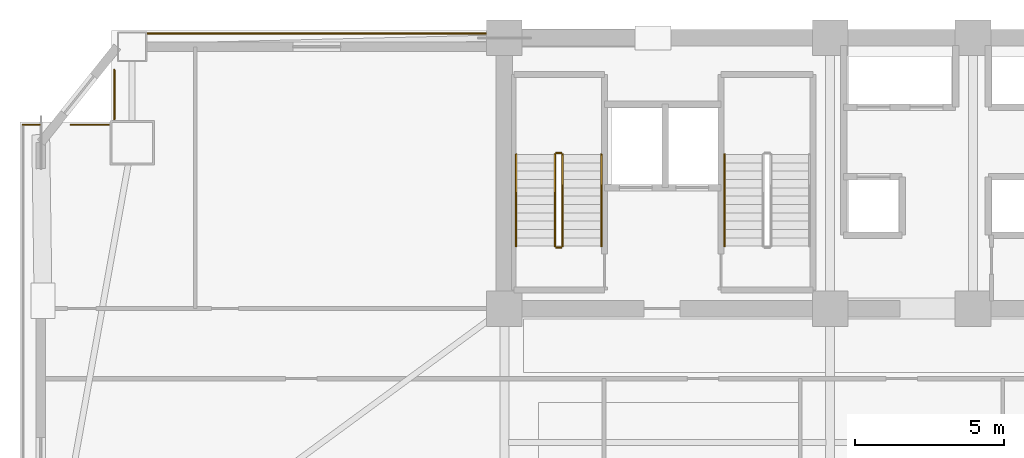
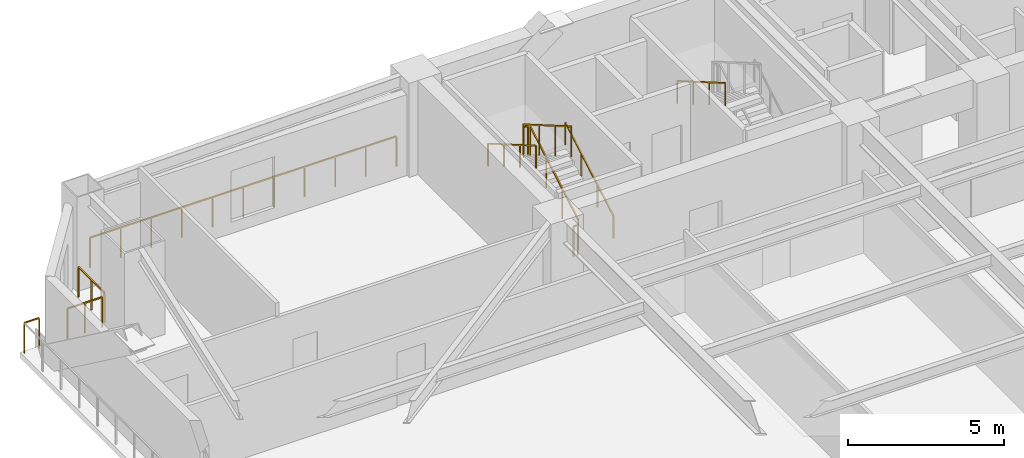
# One storey, part 14 of 16: 11 railings.
"""IFC4 building model written with IfcOpenShell, lengths in metres."""

from ifc_helpers import new_model, si_unit, direction, frame, origin, origin_2d, place, context, subcontext, project, spatial, rectangle, extrude, material, type_object, element, save


model = new_model("IFC4")

# Units and contexts
model_context = context("Model", 3, precision=1e-05, world=origin(), true_north=direction((0.0, 1.0)))
body_context = subcontext(model_context, "Body", "Model", "MODEL_VIEW")
ifc_project = project(units=[si_unit("LENGTHUNIT", "METRE"), si_unit("AREAUNIT", "SQUARE_METRE"), si_unit("VOLUMEUNIT", "CUBIC_METRE"), si_unit("PLANEANGLEUNIT", "RADIAN"), si_unit("MASSUNIT", "GRAM", prefix="KILO")], contexts=[model_context])

# Site, building, storey
site_placement = place(None, origin())
site = spatial("IfcSite", under=ifc_project, at=site_placement, CompositionType="ELEMENT")
building_placement = place(site_placement, origin())
building = spatial("IfcBuilding", under=site, at=building_placement, Name="Giltprow Tower", CompositionType="ELEMENT")
storey_placement = place(building_placement, frame((0.0, 0.0, 87.39990234375)))
storey = spatial("IfcBuildingStorey", under=building, at=storey_placement, Name="L21", CompositionType="ELEMENT", Elevation=87.39990234375)

# Railings
ifc_material = material(Name="Anodized bronze", Category="metal")
railing_type_1 = type_object("IfcRailingType", Name="RAIL-BALC-GUARD-1200", PredefinedType="BALUSTRADE", material=ifc_material)
railing_1_placement = place(storey_placement, frame((3.675048828125, 43.6298828125, 0.0)))
element("IfcRailing", 1, at=railing_1_placement, inside=storey, type_object=railing_type_1, Name="L21 Corner Apron Edge Balustrade 6", PredefinedType="BALUSTRADE", context=body_context, shape_type="SweptSolid", body=[
    extrude(rectangle(XDim=0.048095703125, YDim=0.048095703125, at=origin_2d()), frame((0.0, 0.0, 1.17578125), z_axis=(1.0, 0.0, 0.0), x_axis=(0.0, 1.0, 0.0)), (0.0, 0.0, 1.0), 0.553955078125),
    extrude(rectangle(XDim=0.0419921875, YDim=0.0419921875, at=origin_2d()), origin(), (0.0, 0.0, 1.0), 1.15185546875),
    extrude(rectangle(XDim=0.0419921875, YDim=0.0419921875, at=origin_2d()), frame((0.553955078125, 0.0, 0.0)), (0.0, 0.0, 1.0), 1.15185546875),
])
railing_2_placement = place(storey_placement, frame((5.278076171875, 43.6298828125, 0.0)))
element("IfcRailing", 2, at=railing_2_placement, inside=storey, type_object=railing_type_1, Name="L21 Corner Apron Edge Balustrade 7", PredefinedType="BALUSTRADE", context=body_context, shape_type="SweptSolid", body=[
    extrude(rectangle(XDim=0.048095703125, YDim=0.048095703125, at=origin_2d()), frame((0.0, 0.0, 1.17578125), z_axis=(1.0, 0.0, 0.0), x_axis=(0.0, 1.0, 0.0)), (0.0, 0.0, 1.0), 1.281982421875),
    extrude(rectangle(XDim=0.0419921875, YDim=0.0419921875, at=origin_2d()), origin(), (0.0, 0.0, 1.0), 1.15185546875),
    extrude(rectangle(XDim=0.0419921875, YDim=0.0419921875, at=origin_2d()), frame((0.64111328125, 0.0, 0.0)), (0.0, 0.0, 1.0), 1.15185546875),
    extrude(rectangle(XDim=0.0419921875, YDim=0.0419921875, at=origin_2d()), frame((1.281982421875, 0.0, 0.0)), (0.0, 0.0, 1.0), 1.15185546875),
])
railing_3_placement = place(storey_placement, frame((6.7451171875, 43.81494140625, 0.0)))
element("IfcRailing", 3, at=railing_3_placement, inside=storey, type_object=railing_type_1, Name="L21 Corner Apron Edge Balustrade 8", PredefinedType="BALUSTRADE", context=body_context, shape_type="SweptSolid", body=[
    extrude(rectangle(XDim=0.048095703125, YDim=0.048095703125, at=origin_2d()), frame((0.0, 0.0, 1.17578125), z_axis=(0.0, 1.0, 0.0), x_axis=(-1.0, 0.0, 0.0)), (0.0, 0.0, 1.0), 1.652099609375),
    extrude(rectangle(XDim=0.0419921875, YDim=0.0419921875, at=origin_2d()), origin(), (0.0, 0.0, 1.0), 1.15185546875),
    extrude(rectangle(XDim=0.0419921875, YDim=0.0419921875, at=origin_2d()), frame((0.0, 0.826171875, 0.0)), (0.0, 0.0, 1.0), 1.15185546875),
    extrude(rectangle(XDim=0.0419921875, YDim=0.0419921875, at=origin_2d()), frame((0.0, 1.652099609375, 0.0)), (0.0, 0.0, 1.0), 1.15185546875),
])
railing_4_placement = place(storey_placement, frame((7.8798828125, 46.699951171875, 0.0)))
element("IfcRailing", 4, at=railing_4_placement, inside=storey, type_object=railing_type_1, Name="L21 Corner Apron Edge Balustrade 9", PredefinedType="BALUSTRADE", context=body_context, shape_type="SweptSolid", body=[
    extrude(rectangle(XDim=0.048095703125, YDim=0.048095703125, at=origin_2d()), frame((0.0, 0.0, 1.17578125), z_axis=(1.0, 0.0, 0.0), x_axis=(0.0, 1.0, 0.0)), (0.0, 0.0, 1.0), 11.335205078125),
    extrude(rectangle(XDim=0.0419921875, YDim=0.0419921875, at=origin_2d()), origin(), (0.0, 0.0, 1.0), 1.15185546875),
    extrude(rectangle(XDim=0.0419921875, YDim=0.0419921875, at=origin_2d()), frame((1.133544921875, 0.0, 0.0)), (0.0, 0.0, 1.0), 1.15185546875),
    extrude(rectangle(XDim=0.0419921875, YDim=0.0419921875, at=origin_2d()), frame((2.26708984375, 0.0, 0.0)), (0.0, 0.0, 1.0), 1.15185546875),
    extrude(rectangle(XDim=0.0419921875, YDim=0.0419921875, at=origin_2d()), frame((3.400634765625, 0.0, 0.0)), (0.0, 0.0, 1.0), 1.15185546875),
    extrude(rectangle(XDim=0.0419921875, YDim=0.0419921875, at=origin_2d()), frame((4.5341796875, 0.0, 0.0)), (0.0, 0.0, 1.0), 1.15185546875),
    extrude(rectangle(XDim=0.0419921875, YDim=0.0419921875, at=origin_2d()), frame((5.66748046875, 0.0, 0.0)), (0.0, 0.0, 1.0), 1.15185546875),
    extrude(rectangle(XDim=0.0419921875, YDim=0.0419921875, at=origin_2d()), frame((6.801025390625, 0.0, 0.0)), (0.0, 0.0, 1.0), 1.15185546875),
    extrude(rectangle(XDim=0.0419921875, YDim=0.0419921875, at=origin_2d()), frame((7.9345703125, 0.0, 0.0)), (0.0, 0.0, 1.0), 1.15185546875),
    extrude(rectangle(XDim=0.0419921875, YDim=0.0419921875, at=origin_2d()), frame((9.068115234375, 0.0, 0.0)), (0.0, 0.0, 1.0), 1.15185546875),
    extrude(rectangle(XDim=0.0419921875, YDim=0.0419921875, at=origin_2d()), frame((10.20166015625, 0.0, 0.0)), (0.0, 0.0, 1.0), 1.15185546875),
    extrude(rectangle(XDim=0.0419921875, YDim=0.0419921875, at=origin_2d()), frame((11.335205078125, 0.0, 0.0)), (0.0, 0.0, 1.0), 1.15185546875),
])
railing_type_2 = type_object("IfcRailingType", Name="RAIL-STAIR-GUARD-1200", PredefinedType="GUARDRAIL", material=ifc_material)
railing_5_placement = place(storey_placement, frame((21.81005859375, 39.550048828125, 0.16259765625)))
element("IfcRailing", 5, at=railing_5_placement, inside=storey, type_object=railing_type_2, Name="L21 ST-1 stair guard 1", PredefinedType="GUARDRAIL", context=body_context, shape_type="SweptSolid", body=[
    extrude(rectangle(XDim=0.048095703125, YDim=0.048095703125, at=origin_2d()), frame((0.0, 0.0, 1.17578125), z_axis=(0.0, 0.864873446163, 0.501989962173), x_axis=(-1.0, 0.0, 0.0)), (0.0, 0.0, 1.0), 3.56103515625),
    extrude(rectangle(XDim=0.0419921875, YDim=0.0419921875, at=origin_2d()), origin(), (0.0, 0.0, 1.0), 1.15185546875),
    extrude(rectangle(XDim=0.0419921875, YDim=0.0419921875, at=origin_2d()), frame((0.0, 1.026611328125, 0.595947265625)), (0.0, 0.0, 1.0), 1.15185546875),
    extrude(rectangle(XDim=0.0419921875, YDim=0.0419921875, at=origin_2d()), frame((0.0, 2.05322265625, 1.191650390625)), (0.0, 0.0, 1.0), 1.15185546875),
    extrude(rectangle(XDim=0.0419921875, YDim=0.0419921875, at=origin_2d()), frame((0.0, 3.079833984375, 1.78759765625)), (0.0, 0.0, 1.0), 1.15185546875),
])
railing_6_placement = place(storey_placement, frame((21.760009765625, 42.679931640625, 1.9501953125)))
element("IfcRailing", 6, at=railing_6_placement, inside=storey, type_object=railing_type_2, Name="L21 ST-1 stair guard 2", PredefinedType="GUARDRAIL", context=body_context, shape_type="SweptSolid", body=[
    extrude(rectangle(XDim=0.048095703125, YDim=0.048095703125, at=origin_2d()), frame((0.0, 0.0, 1.17578125), z_axis=(-1.0, 0.0, 0.0), x_axis=(0.0, -1.0, 0.0)), (0.0, 0.0, 1.0), 0.159912109375),
    extrude(rectangle(XDim=0.0419921875, YDim=0.0419921875, at=origin_2d()), origin(), (0.0, 0.0, 1.0), 1.15185546875),
    extrude(rectangle(XDim=0.0419921875, YDim=0.0419921875, at=origin_2d()), frame((-0.159912109375, 0.0, 0.0)), (0.0, 0.0, 1.0), 1.15185546875),
])
railing_7_placement = place(storey_placement, frame((21.550048828125, 42.6298828125, 2.112548828125)))
element("IfcRailing", 7, at=railing_7_placement, inside=storey, type_object=railing_type_2, Name="L21 ST-1 stair guard 3", PredefinedType="GUARDRAIL", context=body_context, shape_type="SweptSolid", body=[
    extrude(rectangle(XDim=0.048095703125, YDim=0.048095703125, at=origin_2d()), frame((0.0, 0.0, 1.17578125), z_axis=(0.0, -0.864873446163, 0.501989962173), x_axis=(1.0, 0.0, 0.0)), (0.0, 0.0, 1.0), 3.56103515625),
    extrude(rectangle(XDim=0.0419921875, YDim=0.0419921875, at=origin_2d()), origin(), (0.0, 0.0, 1.0), 1.15185546875),
    extrude(rectangle(XDim=0.0419921875, YDim=0.0419921875, at=origin_2d()), frame((0.0, -1.026611328125, 0.595947265625)), (0.0, 0.0, 1.0), 1.15185546875),
    extrude(rectangle(XDim=0.0419921875, YDim=0.0419921875, at=origin_2d()), frame((0.0, -2.05322265625, 1.191650390625)), (0.0, 0.0, 1.0), 1.15185546875),
    extrude(rectangle(XDim=0.0419921875, YDim=0.0419921875, at=origin_2d()), frame((0.0, -3.079833984375, 1.78759765625)), (0.0, 0.0, 1.0), 1.15185546875),
])
railing_8_placement = place(storey_placement, frame((21.760009765625, 39.5, 0.0)))
element("IfcRailing", 8, at=railing_8_placement, inside=storey, type_object=railing_type_2, Name="L21 ST-1 stair guard 4", PredefinedType="GUARDRAIL", context=body_context, shape_type="SweptSolid", body=[
    extrude(rectangle(XDim=0.048095703125, YDim=0.048095703125, at=origin_2d()), frame((0.0, 0.0, 1.17578125), z_axis=(-1.0, 0.0, 0.0), x_axis=(0.0, -1.0, 0.0)), (0.0, 0.0, 1.0), 0.159912109375),
    extrude(rectangle(XDim=0.0419921875, YDim=0.0419921875, at=origin_2d()), origin(), (0.0, 0.0, 1.0), 1.15185546875),
    extrude(rectangle(XDim=0.0419921875, YDim=0.0419921875, at=origin_2d()), frame((-0.159912109375, 0.0, 0.0)), (0.0, 0.0, 1.0), 1.15185546875),
])
railing_type_3 = type_object("IfcRailingType", Name="RAIL-STAIR-HAND-900", PredefinedType="HANDRAIL", material=ifc_material)
railing_9_placement = place(storey_placement, frame((23.110107421875, 39.550048828125, 0.16259765625)))
element("IfcRailing", 9, at=railing_9_placement, inside=storey, type_object=railing_type_3, Name="L21 ST-1 stair handrail 1", PredefinedType="HANDRAIL", context=body_context, shape_type="SweptSolid", body=[
    extrude(rectangle(XDim=0.048095703125, YDim=0.048095703125, at=origin_2d()), frame((0.0, 0.0, 0.8759765625), z_axis=(0.0, 0.864873446163, 0.501989962173), x_axis=(-1.0, 0.0, 0.0)), (0.0, 0.0, 1.0), 3.56103515625),
    extrude(rectangle(XDim=0.0419921875, YDim=0.0419921875, at=origin_2d()), origin(), (0.0, 0.0, 1.0), 0.851806640625),
    extrude(rectangle(XDim=0.0419921875, YDim=0.0419921875, at=origin_2d()), frame((0.0, 1.026611328125, 0.595947265625)), (0.0, 0.0, 1.0), 0.851806640625),
    extrude(rectangle(XDim=0.0419921875, YDim=0.0419921875, at=origin_2d()), frame((0.0, 2.05322265625, 1.191650390625)), (0.0, 0.0, 1.0), 0.851806640625),
    extrude(rectangle(XDim=0.0419921875, YDim=0.0419921875, at=origin_2d()), frame((0.0, 3.079833984375, 1.78759765625)), (0.0, 0.0, 1.0), 0.851806640625),
])
for number, where, name in (
    (10, (20.25, 42.6298828125, 2.112548828125), "L21 ST-1 stair handrail 2"),
    (11, (27.25, 42.6298828125, 2.112548828125), "L21 ST-2 stair handrail 2"),
):
    element("IfcRailing", number, at=place(storey_placement, frame(where)), inside=storey, type_object=railing_type_3, Name=name, PredefinedType="HANDRAIL", context=body_context, shape_type="SweptSolid", body=[
        extrude(rectangle(XDim=0.048095703125, YDim=0.048095703125, at=origin_2d()), frame((0.0, 0.0, 0.8759765625), z_axis=(0.0, -0.864873446163, 0.501989962173), x_axis=(1.0, 0.0, 0.0)), (0.0, 0.0, 1.0), 3.56103515625),
        extrude(rectangle(XDim=0.0419921875, YDim=0.0419921875, at=origin_2d()), origin(), (0.0, 0.0, 1.0), 0.851806640625),
        extrude(rectangle(XDim=0.0419921875, YDim=0.0419921875, at=origin_2d()), frame((0.0, -1.026611328125, 0.595947265625)), (0.0, 0.0, 1.0), 0.851806640625),
        extrude(rectangle(XDim=0.0419921875, YDim=0.0419921875, at=origin_2d()), frame((0.0, -2.05322265625, 1.191650390625)), (0.0, 0.0, 1.0), 0.851806640625),
        extrude(rectangle(XDim=0.0419921875, YDim=0.0419921875, at=origin_2d()), frame((0.0, -3.079833984375, 1.78759765625)), (0.0, 0.0, 1.0), 0.851806640625),
    ])

save(model, "model.ifc")
